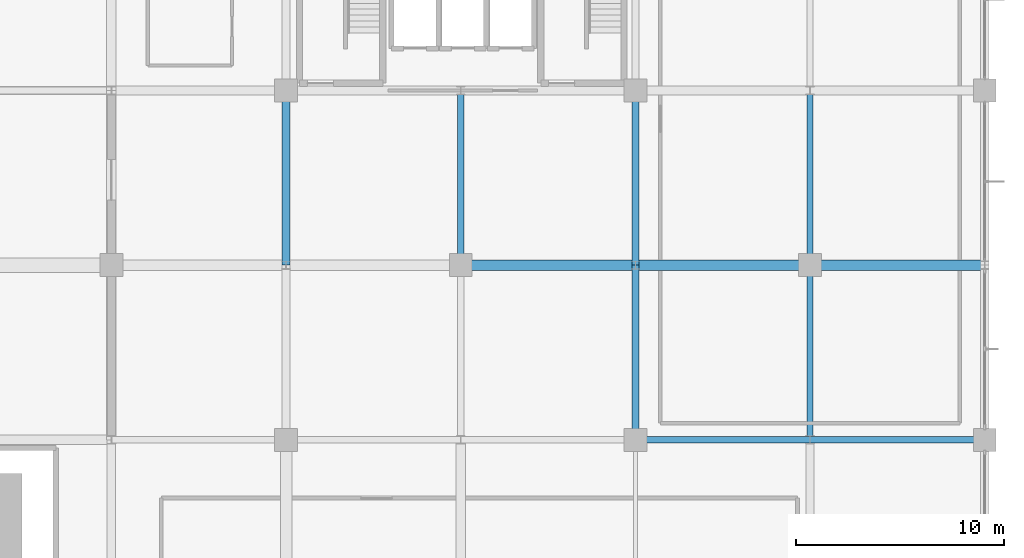
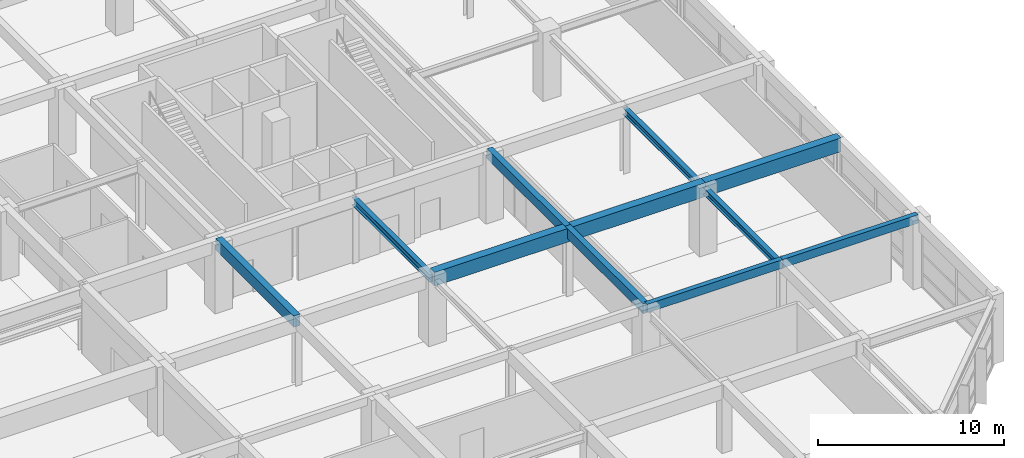
# One storey, part 29 of 56: 11 beams.
"""IFC4 building model written with IfcOpenShell, lengths in metres."""

from ifc_helpers import new_model, si_unit, direction, frame, origin, origin_2d, place, context, subcontext, project, spatial, rectangle, i_section, extrude, material, material_profile, profile_set, type_object, element, save


model = new_model("IFC4")

# Units and contexts
model_context = context("Model", 3, precision=1e-05, world=origin(), true_north=direction((0.0, 1.0)))
body_context = subcontext(model_context, "Body", "Model", "MODEL_VIEW")
ifc_project = project(units=[si_unit("LENGTHUNIT", "METRE"), si_unit("AREAUNIT", "SQUARE_METRE"), si_unit("VOLUMEUNIT", "CUBIC_METRE"), si_unit("PLANEANGLEUNIT", "RADIAN"), si_unit("MASSUNIT", "GRAM", prefix="KILO")], contexts=[model_context])

# Site, building, storey
site_placement = place(None, origin())
site = spatial("IfcSite", under=ifc_project, at=site_placement, CompositionType="ELEMENT")
building_placement = place(site_placement, origin())
building = spatial("IfcBuilding", under=site, at=building_placement, Name="Xuanlan Plaza Opera House", CompositionType="ELEMENT")
storey_placement = place(building_placement, frame((0.0, 0.0, 18.89990234375)))
storey = spatial("IfcBuildingStorey", under=building, at=storey_placement, Name="L04", CompositionType="ELEMENT", Elevation=18.89990234375)

# Beams
ifc_material_1 = material(Name="Concrete C40", Category="concrete")
ifc_material_profile_1 = material_profile(ifc_material_1, rectangle(XDim=0.5, YDim=0.89990234375, at=origin_2d()), Name="RC-BM 500x900")
ifc_profile_set_1 = profile_set([ifc_material_profile_1], Name="Concrete C40")
beam_type_1 = type_object("IfcBeamType", Name="STR-BM-B-03", PredefinedType="BEAM", material=ifc_profile_set_1)
beam_1_placement = place(storey_placement, frame((142.800048828125, 42.0, 4.050048828125), z_axis=(1.0, 0.0, 0.0), x_axis=(0.0, 1.0, 0.0)))
element("IfcBeam", 1, at=beam_1_placement, inside=storey, type_object=beam_type_1, Name="Grid Beam X L04 18-19/F", PredefinedType="BEAM", context=body_context, shape_type="SweptSolid", body=[
    extrude(rectangle(XDim=0.5, YDim=0.89990234375, at=origin_2d()), origin(), (0.0, 0.0, 1.0), 8.39990234375),
])
beam_2_placement = place(storey_placement, frame((151.199951171875, 42.0, 4.050048828125), z_axis=(1.0, 0.0, 0.0), x_axis=(0.0, 1.0, 0.0)))
element("IfcBeam", 2, at=beam_2_placement, inside=storey, type_object=beam_type_1, Name="Grid Beam X L04 19-20/F", PredefinedType="BEAM", context=body_context, shape_type="SweptSolid", body=[
    extrude(rectangle(XDim=0.5, YDim=0.89990234375, at=origin_2d()), origin(), (0.0, 0.0, 1.0), 8.400146484375),
])
beam_3_placement = place(storey_placement, frame((159.60009765625, 42.0, 4.050048828125), z_axis=(1.0, 0.0, 0.0), x_axis=(0.0, 1.0, 0.0)))
element("IfcBeam", 3, at=beam_3_placement, inside=storey, type_object=beam_type_1, Name="Grid Beam X L04 20-21/F", PredefinedType="BEAM", context=body_context, shape_type="SweptSolid", body=[
    extrude(rectangle(XDim=0.5, YDim=0.89990234375, at=origin_2d()), origin(), (0.0, 0.0, 1.0), 8.39990234375),
])
ifc_material_profile_2 = material_profile(ifc_material_1, rectangle(XDim=0.39990234375, YDim=0.75, at=origin_2d()), Name="RC-BM 400x750")
ifc_profile_set_2 = profile_set([ifc_material_profile_2], Name="Concrete C40")
beam_type_2 = type_object("IfcBeamType", Name="STR-BM-B-06", PredefinedType="BEAM", material=ifc_profile_set_2)
beam_4_placement = place(storey_placement, frame((134.39990234375, 42.0, 4.125), z_axis=(0.0, 1.0, 0.0), x_axis=(-1.0, 0.0, 0.0)))
element("IfcBeam", 4, at=beam_4_placement, inside=storey, type_object=beam_type_2, Name="Grid Beam Y L04 17/F-G", PredefinedType="BEAM", context=body_context, shape_type="SweptSolid", body=[
    extrude(rectangle(XDim=0.39990234375, YDim=0.75, at=origin_2d()), origin(), (0.0, 0.0, 1.0), 8.39990234375),
])
ifc_material_profile_3 = material_profile(ifc_material_1, rectangle(XDim=0.35009765625, YDim=0.64990234375, at=origin_2d()), Name="RC-BM 350x650")
ifc_profile_set_3 = profile_set([ifc_material_profile_3], Name="Concrete C40")
beam_type_3 = type_object("IfcBeamType", Name="STR-BM-B-08", PredefinedType="BEAM", material=ifc_profile_set_3)
for number, where, z_axis, x_axis, name in (
    (5, (151.199951171875, 33.60009765625, 4.175048828125), (0.0, 1.0, 0.0), (-1.0, 0.0, 0.0), "Grid Beam Y L04 19/E-F"),
    (6, (151.199951171875, 42.0, 4.175048828125), (0.0, 1.0, 0.0), (-1.0, 0.0, 0.0), "Grid Beam Y L04 19/F-G"),
):
    element("IfcBeam", number, at=place(storey_placement, frame(where, z_axis=z_axis, x_axis=x_axis)), inside=storey, type_object=beam_type_3, Name=name, PredefinedType="BEAM", context=body_context, shape_type="SweptSolid", body=[
        extrude(rectangle(XDim=0.35009765625, YDim=0.64990234375, at=origin_2d()), origin(), (0.0, 0.0, 1.0), 8.39990234375),
    ])
ifc_material_profile_4 = material_profile(ifc_material_1, rectangle(XDim=0.300048828125, YDim=0.550048828125, at=origin_2d()), Name="RC-BM 300x550")
ifc_profile_set_4 = profile_set([ifc_material_profile_4], Name="Concrete C40")
beam_type_4 = type_object("IfcBeamType", Name="STR-BM-B-09", PredefinedType="BEAM", material=ifc_profile_set_4)
beam_5_placement = place(storey_placement, frame((151.199951171875, 33.60009765625, 4.22509765625), z_axis=(1.0, 0.0, 0.0), x_axis=(0.0, 1.0, 0.0)))
element("IfcBeam", 7, at=beam_5_placement, inside=storey, type_object=beam_type_4, Name="Grid Beam X L04 19-20/E", PredefinedType="BEAM", context=body_context, shape_type="SweptSolid", body=[
    extrude(rectangle(XDim=0.300048828125, YDim=0.550048828125, at=origin_2d()), origin(), (0.0, 0.0, 1.0), 8.400146484375),
])
beam_6_placement = place(storey_placement, frame((159.60009765625, 33.60009765625, 4.22509765625), z_axis=(1.0, 0.0, 0.0), x_axis=(0.0, 1.0, 0.0)))
element("IfcBeam", 8, at=beam_6_placement, inside=storey, type_object=beam_type_4, Name="Grid Beam X L04 20-21/E", PredefinedType="BEAM", context=body_context, shape_type="SweptSolid", body=[
    extrude(rectangle(XDim=0.300048828125, YDim=0.550048828125, at=origin_2d()), origin(), (0.0, 0.0, 1.0), 8.39990234375),
])
ifc_material_2 = material(Name="Steel Q355B", Category="steel")
ifc_material_profile_5 = material_profile(ifc_material_2, i_section(OverallWidth=0.300048828125, OverallDepth=0.488037109375, WebThickness=0.010986328125, FlangeThickness=0.01806640625, FilletRadius=0.02197265625, at=origin_2d()), Name="HM 488x300x11x18")
ifc_profile_set_5 = profile_set([ifc_material_profile_5], Name="Steel Q355B")
beam_type_5 = type_object("IfcBeamType", Name="STR-BM-SB-07", PredefinedType="BEAM", material=ifc_profile_set_5)
beam_7_placement = place(storey_placement, frame((142.800048828125, 42.0, 3.9912109375), z_axis=(0.0, 1.0, 0.0), x_axis=(-1.0, 0.0, 0.0)))
element("IfcBeam", 9, at=beam_7_placement, inside=storey, type_object=beam_type_5, Name="Grid Beam Y L04 18/F-G", PredefinedType="BEAM", context=body_context, shape_type="SweptSolid", body=[
    extrude(i_section(OverallWidth=0.300048828125, OverallDepth=0.488037109375, WebThickness=0.010986328125, FlangeThickness=0.01806640625, FilletRadius=0.02197265625, at=origin_2d()), origin(), (0.0, 0.0, 1.0), 8.39990234375),
])
ifc_material_profile_6 = material_profile(ifc_material_2, i_section(OverallWidth=0.300048828125, OverallDepth=0.43994140625, WebThickness=0.010986328125, FlangeThickness=0.01806640625, FilletRadius=0.02001953125, at=origin_2d()), Name="HM 440x300x11x18")
ifc_profile_set_6 = profile_set([ifc_material_profile_6], Name="Steel Q355B")
beam_type_6 = type_object("IfcBeamType", Name="STR-BM-SB-08", PredefinedType="BEAM", material=ifc_profile_set_6)
for number, where, z_axis, x_axis, name in (
    (10, (159.60009765625, 33.60009765625, 4.01513671875), (0.0, 1.0, 0.0), (-1.0, 0.0, 0.0), "Grid Beam Y L04 20/E-F"),
    (11, (159.60009765625, 42.0, 4.01513671875), (0.0, 1.0, 0.0), (-1.0, 0.0, 0.0), "Grid Beam Y L04 20/F-G"),
):
    element("IfcBeam", number, at=place(storey_placement, frame(where, z_axis=z_axis, x_axis=x_axis)), inside=storey, type_object=beam_type_6, Name=name, PredefinedType="BEAM", context=body_context, shape_type="SweptSolid", body=[
        extrude(i_section(OverallWidth=0.300048828125, OverallDepth=0.43994140625, WebThickness=0.010986328125, FlangeThickness=0.01806640625, FilletRadius=0.02001953125, at=origin_2d()), origin(), (0.0, 0.0, 1.0), 8.39990234375),
    ])

save(model, "model.ifc")
